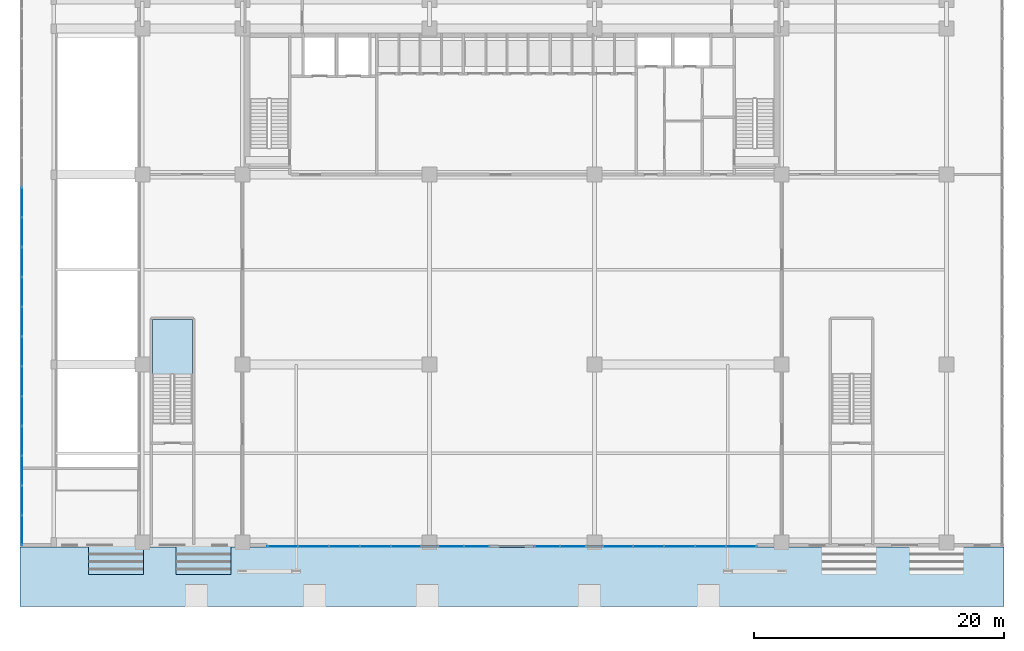
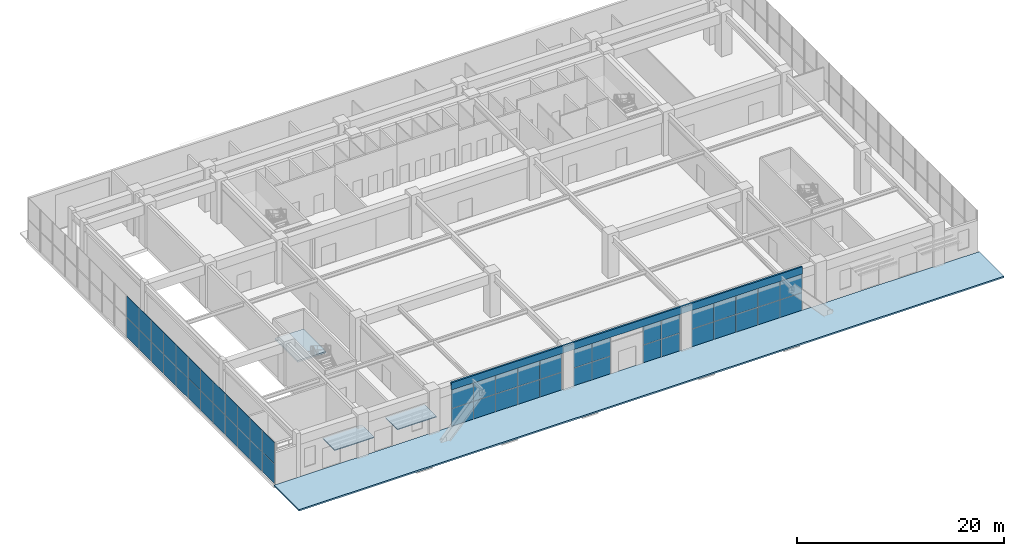
# One storey, part 29 of 40: 55 plates, 2 slabs, 6 elements without a shape of their own.
"""IFC4 building model written with IfcOpenShell, lengths in metres."""

from ifc_helpers import new_model, si_unit, direction, frame, origin, origin_2d, place, context, subcontext, project, spatial, polyline, rectangle, outline, extrude, source, transform, mapped, material, layer, layer_set, type_object, element, aggregate, save


model = new_model("IFC4")

# Units and contexts
model_context = context("Model", 3, precision=1e-05, world=origin(), true_north=direction((0.0, 1.0)))
body_context = subcontext(model_context, "Body", "Model", "MODEL_VIEW")
ifc_project = project(units=[si_unit("LENGTHUNIT", "METRE"), si_unit("AREAUNIT", "SQUARE_METRE"), si_unit("VOLUMEUNIT", "CUBIC_METRE"), si_unit("PLANEANGLEUNIT", "RADIAN"), si_unit("MASSUNIT", "GRAM", prefix="KILO")], contexts=[model_context])

# Site, building, storey
site_placement = place(None, origin())
site = spatial("IfcSite", under=ifc_project, at=site_placement, CompositionType="ELEMENT")
building_placement = place(site_placement, origin())
building = spatial("IfcBuilding", under=site, at=building_placement, Name="Trelvane Seafront Commons", CompositionType="ELEMENT")
storey_placement = place(building_placement, origin())
storey = spatial("IfcBuildingStorey", under=building, at=storey_placement, Name="L00", CompositionType="ELEMENT", Elevation=0.0)

# Stair, slab
ifc_material_1 = material(Name="Concrete C40/50", Category="concrete")
stair_type = type_object("IfcStairType", Name="ARCH-STR-ST-3-R30-173", PredefinedType="HALF_TURN_STAIR", material=ifc_material_1)
stair_placement = place(storey_placement, origin())
stair = element("IfcStair", 1, at=stair_placement, inside=storey, type_object=stair_type, Name="L00 Podium Commons West Promenade Stair ST-3", PredefinedType="HALF_TURN_STAIR")
ifc_layer_1 = layer(ifc_material_1, 0.199951171875, Name="ARCH-LND-200")
ifc_layer_set_1 = layer_set([ifc_layer_1], Name="Concrete C40/50")
slab_type_1 = type_object("IfcSlabType", Name="ARCH-LND-200", PredefinedType="LANDING", material=ifc_layer_set_1)
slab_1_placement = place(storey_placement, frame((0.0, 0.0, 2.39990234375)))
slab_1 = element("IfcSlab", 2, at=slab_1_placement, type_object=slab_type_1, Name="ST-3 landing 1", PredefinedType="LANDING", context=body_context, shape_type="SweptSolid", body=[
    extrude(outline(polyline([(11.60009765625, 17.419921875), (11.60009765625, 21.800048828125), (8.39990234375, 21.800048828125), (8.39990234375, 17.419921875), (11.60009765625, 17.419921875)])), origin(), (0.0, 0.0, 1.0), 0.2001953125),
])
aggregate(stair, [slab_1])

# Slab
ifc_material_2 = material(Name="Precast concrete C40/50", Category="concrete")
ifc_layer_2 = layer(ifc_material_2, 0.179931640625, Name="ARCH-PAV-180")
ifc_layer_set_2 = layer_set([ifc_layer_2], Name="Precast concrete C40/50")
slab_type_2 = type_object("IfcSlabType", Name="ARCH-PAV-180", PredefinedType="USERDEFINED", material=ifc_layer_set_2)
slab_2_placement = place(storey_placement, frame((0.0, 0.0, -0.179931640625)))
element("IfcSlab", 3, at=slab_2_placement, inside=storey, type_object=slab_type_2, Name="Ground Seafront Entrance Forecourt Plaza Paving", ObjectType="PAVING", PredefinedType="USERDEFINED", context=body_context, shape_type="SweptSolid", body=[
    extrude(outline(polyline([(-2.199951171875, -1.199951171875), (76.60009765625, -1.199951171875), (76.60009765625, 3.60009765625), (-2.199951171875, 3.60009765625), (-2.199951171875, -1.199951171875)])), origin(), (0.0, 0.0, 1.0), 0.179931640625),
])

# Plates
ifc_material_3 = material(Name="Anodised pale-silver aluminium", Category="aluminium")
ifc_layer_3 = layer(ifc_material_3, 0.044921875, Name="ARCH-PLATE-CANOPY")
ifc_layer_set_3 = layer_set([ifc_layer_3], Name="Anodised pale-silver aluminium")
plate_type_1 = type_object("IfcPlateType", Name="ARCH-PLATE-CANOPY", PredefinedType="USERDEFINED", material=ifc_layer_set_3)
plate_1_placement = place(storey_placement, frame((0.0, 0.0, 3.449951171875)))
element("IfcPlate", 4, at=plate_1_placement, inside=storey, type_object=plate_type_1, Name="CAN-L00-S-01", ObjectType="CANOPY", PredefinedType="USERDEFINED", context=body_context, shape_type="SweptSolid", body=[
    extrude(outline(polyline([(3.300048828125, 1.39990234375), (7.699951171875, 1.39990234375), (7.699951171875, 3.800048828125), (3.300048828125, 3.800048828125), (3.300048828125, 1.39990234375)])), origin(), (0.0, 0.0, 1.0), 0.10009765625),
])
plate_2_placement = place(storey_placement, frame((0.0, 0.0, 3.449951171875)))
element("IfcPlate", 5, at=plate_2_placement, inside=storey, type_object=plate_type_1, Name="CAN-L00-S-02", ObjectType="CANOPY", PredefinedType="USERDEFINED", context=body_context, shape_type="SweptSolid", body=[
    extrude(outline(polyline([(10.300048828125, 1.39990234375), (14.699951171875, 1.39990234375), (14.699951171875, 3.800048828125), (10.300048828125, 3.800048828125), (10.300048828125, 1.39990234375)])), origin(), (0.0, 0.0, 1.0), 0.10009765625),
])

# Curtain wall, plates
curtain_wall_type_1 = type_object("IfcCurtainWallType", Name="ARCH-CW1-PODIUM", PredefinedType="NOTDEFINED", material=ifc_material_3)
curtain_wall_1_placement = place(storey_placement, origin())
curtain_wall_1 = element("IfcCurtainWall", 6, at=curtain_wall_1_placement, inside=storey, type_object=curtain_wall_type_1, Name="CW-L00-VPE-0001", PredefinedType="NOTDEFINED")
ifc_material_4 = material(Name="Low-E coastal double glazing", Category="glass")
ifc_layer_4 = layer(ifc_material_4, 0.033935546875, Name="ARCH-CW-GLAZ-34")
ifc_layer_set_4 = layer_set([ifc_layer_4], Name="Low-E coastal double glazing")
plate_type_2 = type_object("IfcPlateType", Name="ARCH-CW-GLAZ-34", PredefinedType="CURTAIN_PANEL", material=ifc_layer_set_4)
shared_shape_1 = source(origin(), body_context, "Body", "SweptSolid", [
    extrude(rectangle(XDim=2.446044921875, YDim=0.035888671875, at=origin_2d()), origin(), (0.0, 0.0, 1.0), 2.074951171875),
])
plate_3_placement = place(storey_placement, frame((55.56494140625, 3.6201171875, 0.0), z_axis=(0.0, 0.0, 1.0), x_axis=(-1.0, 0.0, 0.0)))
plate_3 = element("IfcPlate", 7, at=plate_3_placement, type_object=plate_type_2, Name="CW-L00-VPE-0001-P00-1", PredefinedType="CURTAIN_PANEL", context=body_context, shape_type="MappedRepresentation", body=[
    mapped(shared_shape_1, transform((0.0, 0.0, 0.0), x_axis=(1.0, 0.0, 0.0), y_axis=(0.0, 1.0, 0.0), z_axis=(0.0, 0.0, 1.0), scale=1.0)),
])
plate_4_placement = place(storey_placement, frame((53.094970703125, 3.6201171875, 0.0), z_axis=(0.0, 0.0, 1.0), x_axis=(-1.0, 0.0, 0.0)))
plate_4 = element("IfcPlate", 8, at=plate_4_placement, type_object=plate_type_2, Name="CW-L00-VPE-0001-P01-1", PredefinedType="CURTAIN_PANEL", context=body_context, shape_type="MappedRepresentation", body=[
    mapped(shared_shape_1, transform((0.0, 0.0, 0.0), x_axis=(1.0, 0.0, 0.0), y_axis=(0.0, 1.0, 0.0), z_axis=(0.0, 0.0, 1.0), scale=1.0)),
])
plate_5_placement = place(storey_placement, frame((50.625, 3.6201171875, 0.0), z_axis=(0.0, 0.0, 1.0), x_axis=(-1.0, 0.0, 0.0)))
plate_5 = element("IfcPlate", 9, at=plate_5_placement, type_object=plate_type_2, Name="CW-L00-VPE-0001-P02-1", PredefinedType="CURTAIN_PANEL", context=body_context, shape_type="MappedRepresentation", body=[
    mapped(shared_shape_1, transform((0.0, 0.0, 0.0), x_axis=(1.0, 0.0, 0.0), y_axis=(0.0, 1.0, 0.0), z_axis=(0.0, 0.0, 1.0), scale=1.0)),
])
plate_6_placement = place(storey_placement, frame((48.155029296875, 3.6201171875, 0.0), z_axis=(0.0, 0.0, 1.0), x_axis=(-1.0, 0.0, 0.0)))
plate_6 = element("IfcPlate", 10, at=plate_6_placement, type_object=plate_type_2, Name="CW-L00-VPE-0001-P03-1", PredefinedType="CURTAIN_PANEL", context=body_context, shape_type="MappedRepresentation", body=[
    mapped(shared_shape_1, transform((0.0, 0.0, 0.0), x_axis=(1.0, 0.0, 0.0), y_axis=(0.0, 1.0, 0.0), z_axis=(0.0, 0.0, 1.0), scale=1.0)),
])
plate_7_placement = place(storey_placement, frame((45.68505859375, 3.6201171875, 0.0), z_axis=(0.0, 0.0, 1.0), x_axis=(-1.0, 0.0, 0.0)))
plate_7 = element("IfcPlate", 11, at=plate_7_placement, type_object=plate_type_2, Name="CW-L00-VPE-0001-P04-1", PredefinedType="CURTAIN_PANEL", context=body_context, shape_type="MappedRepresentation", body=[
    mapped(shared_shape_1, transform((0.0, 0.0, 0.0), x_axis=(1.0, 0.0, 0.0), y_axis=(0.0, 1.0, 0.0), z_axis=(0.0, 0.0, 1.0), scale=1.0)),
])

curtain_wall_2_placement = place(storey_placement, origin())
curtain_wall_2 = element("IfcCurtainWall", 12, at=curtain_wall_2_placement, inside=storey, type_object=curtain_wall_type_1, Name="CW-L00-VPW-0004", PredefinedType="NOTDEFINED")
plate_8_placement = place(storey_placement, frame((28.715087890625, 3.6201171875, 0.0), z_axis=(0.0, 0.0, 1.0), x_axis=(-1.0, 0.0, 0.0)))
plate_8 = element("IfcPlate", 13, at=plate_8_placement, type_object=plate_type_2, Name="CW-L00-VPW-0004-P00-1", PredefinedType="CURTAIN_PANEL", context=body_context, shape_type="MappedRepresentation", body=[
    mapped(shared_shape_1, transform((0.0, 0.0, 0.0), x_axis=(1.0, 0.0, 0.0), y_axis=(0.0, 1.0, 0.0), z_axis=(0.0, 0.0, 1.0), scale=1.0)),
])
plate_9_placement = place(storey_placement, frame((26.2451171875, 3.6201171875, 0.0), z_axis=(0.0, 0.0, 1.0), x_axis=(-1.0, 0.0, 0.0)))
plate_9 = element("IfcPlate", 14, at=plate_9_placement, type_object=plate_type_2, Name="CW-L00-VPW-0004-P01-1", PredefinedType="CURTAIN_PANEL", context=body_context, shape_type="MappedRepresentation", body=[
    mapped(shared_shape_1, transform((0.0, 0.0, 0.0), x_axis=(1.0, 0.0, 0.0), y_axis=(0.0, 1.0, 0.0), z_axis=(0.0, 0.0, 1.0), scale=1.0)),
])
plate_10_placement = place(storey_placement, frame((23.77490234375, 3.6201171875, 0.0), z_axis=(0.0, 0.0, 1.0), x_axis=(-1.0, 0.0, 0.0)))
plate_10 = element("IfcPlate", 15, at=plate_10_placement, type_object=plate_type_2, Name="CW-L00-VPW-0004-P02-1", PredefinedType="CURTAIN_PANEL", context=body_context, shape_type="MappedRepresentation", body=[
    mapped(shared_shape_1, transform((0.0, 0.0, 0.0), x_axis=(1.0, 0.0, 0.0), y_axis=(0.0, 1.0, 0.0), z_axis=(0.0, 0.0, 1.0), scale=1.0)),
])
plate_11_placement = place(storey_placement, frame((21.304931640625, 3.6201171875, 0.0), z_axis=(0.0, 0.0, 1.0), x_axis=(-1.0, 0.0, 0.0)))
plate_11 = element("IfcPlate", 16, at=plate_11_placement, type_object=plate_type_2, Name="CW-L00-VPW-0004-P03-1", PredefinedType="CURTAIN_PANEL", context=body_context, shape_type="MappedRepresentation", body=[
    mapped(shared_shape_1, transform((0.0, 0.0, 0.0), x_axis=(1.0, 0.0, 0.0), y_axis=(0.0, 1.0, 0.0), z_axis=(0.0, 0.0, 1.0), scale=1.0)),
])
plate_12_placement = place(storey_placement, frame((18.8349609375, 3.6201171875, 0.0), z_axis=(0.0, 0.0, 1.0), x_axis=(-1.0, 0.0, 0.0)))
plate_12 = element("IfcPlate", 17, at=plate_12_placement, type_object=plate_type_2, Name="CW-L00-VPW-0004-P04-1", PredefinedType="CURTAIN_PANEL", context=body_context, shape_type="MappedRepresentation", body=[
    mapped(shared_shape_1, transform((0.0, 0.0, 0.0), x_axis=(1.0, 0.0, 0.0), y_axis=(0.0, 1.0, 0.0), z_axis=(0.0, 0.0, 1.0), scale=1.0)),
])

# Plate
shared_shape_2 = source(origin(), body_context, "Body", "SweptSolid", [
    extrude(rectangle(XDim=2.446044921875, YDim=0.035888671875, at=origin_2d()), origin(), (0.0, 0.0, 1.0), 2.2490234375),
])
plate_13_placement = place(storey_placement, frame((55.56494140625, 3.6201171875, 2.111083984375), z_axis=(0.0, 0.0, 1.0), x_axis=(-1.0, 0.0, 0.0)))
plate_13 = element("IfcPlate", 18, at=plate_13_placement, type_object=plate_type_2, Name="CW-L00-VPE-0001-P00-2", PredefinedType="CURTAIN_PANEL", context=body_context, shape_type="MappedRepresentation", body=[
    mapped(shared_shape_2, transform((0.0, 0.0, 0.0), x_axis=(1.0, 0.0, 0.0), y_axis=(0.0, 1.0, 0.0), z_axis=(0.0, 0.0, 1.0), scale=1.0)),
])

plate_14_placement = place(storey_placement, frame((53.094970703125, 3.6201171875, 2.111083984375), z_axis=(0.0, 0.0, 1.0), x_axis=(-1.0, 0.0, 0.0)))
plate_14 = element("IfcPlate", 19, at=plate_14_placement, type_object=plate_type_2, Name="CW-L00-VPE-0001-P01-2", PredefinedType="CURTAIN_PANEL", context=body_context, shape_type="MappedRepresentation", body=[
    mapped(shared_shape_2, transform((0.0, 0.0, 0.0), x_axis=(1.0, 0.0, 0.0), y_axis=(0.0, 1.0, 0.0), z_axis=(0.0, 0.0, 1.0), scale=1.0)),
])

plate_15_placement = place(storey_placement, frame((50.625, 3.6201171875, 2.111083984375), z_axis=(0.0, 0.0, 1.0), x_axis=(-1.0, 0.0, 0.0)))
plate_15 = element("IfcPlate", 20, at=plate_15_placement, type_object=plate_type_2, Name="CW-L00-VPE-0001-P02-2", PredefinedType="CURTAIN_PANEL", context=body_context, shape_type="MappedRepresentation", body=[
    mapped(shared_shape_2, transform((0.0, 0.0, 0.0), x_axis=(1.0, 0.0, 0.0), y_axis=(0.0, 1.0, 0.0), z_axis=(0.0, 0.0, 1.0), scale=1.0)),
])

plate_16_placement = place(storey_placement, frame((48.155029296875, 3.6201171875, 2.111083984375), z_axis=(0.0, 0.0, 1.0), x_axis=(-1.0, 0.0, 0.0)))
plate_16 = element("IfcPlate", 21, at=plate_16_placement, type_object=plate_type_2, Name="CW-L00-VPE-0001-P03-2", PredefinedType="CURTAIN_PANEL", context=body_context, shape_type="MappedRepresentation", body=[
    mapped(shared_shape_2, transform((0.0, 0.0, 0.0), x_axis=(1.0, 0.0, 0.0), y_axis=(0.0, 1.0, 0.0), z_axis=(0.0, 0.0, 1.0), scale=1.0)),
])

plate_17_placement = place(storey_placement, frame((45.68505859375, 3.6201171875, 2.111083984375), z_axis=(0.0, 0.0, 1.0), x_axis=(-1.0, 0.0, 0.0)))
plate_17 = element("IfcPlate", 22, at=plate_17_placement, type_object=plate_type_2, Name="CW-L00-VPE-0001-P04-2", PredefinedType="CURTAIN_PANEL", context=body_context, shape_type="MappedRepresentation", body=[
    mapped(shared_shape_2, transform((0.0, 0.0, 0.0), x_axis=(1.0, 0.0, 0.0), y_axis=(0.0, 1.0, 0.0), z_axis=(0.0, 0.0, 1.0), scale=1.0)),
])

aggregate(curtain_wall_1, [plate_3, plate_13, plate_4, plate_14, plate_5, plate_15, plate_6, plate_16, plate_7, plate_17])

plate_18_placement = place(storey_placement, frame((28.715087890625, 3.6201171875, 2.111083984375), z_axis=(0.0, 0.0, 1.0), x_axis=(-1.0, 0.0, 0.0)))
plate_18 = element("IfcPlate", 23, at=plate_18_placement, type_object=plate_type_2, Name="CW-L00-VPW-0004-P00-2", PredefinedType="CURTAIN_PANEL", context=body_context, shape_type="MappedRepresentation", body=[
    mapped(shared_shape_2, transform((0.0, 0.0, 0.0), x_axis=(1.0, 0.0, 0.0), y_axis=(0.0, 1.0, 0.0), z_axis=(0.0, 0.0, 1.0), scale=1.0)),
])

plate_19_placement = place(storey_placement, frame((26.2451171875, 3.6201171875, 2.111083984375), z_axis=(0.0, 0.0, 1.0), x_axis=(-1.0, 0.0, 0.0)))
plate_19 = element("IfcPlate", 24, at=plate_19_placement, type_object=plate_type_2, Name="CW-L00-VPW-0004-P01-2", PredefinedType="CURTAIN_PANEL", context=body_context, shape_type="MappedRepresentation", body=[
    mapped(shared_shape_2, transform((0.0, 0.0, 0.0), x_axis=(1.0, 0.0, 0.0), y_axis=(0.0, 1.0, 0.0), z_axis=(0.0, 0.0, 1.0), scale=1.0)),
])

plate_20_placement = place(storey_placement, frame((23.77490234375, 3.6201171875, 2.111083984375), z_axis=(0.0, 0.0, 1.0), x_axis=(-1.0, 0.0, 0.0)))
plate_20 = element("IfcPlate", 25, at=plate_20_placement, type_object=plate_type_2, Name="CW-L00-VPW-0004-P02-2", PredefinedType="CURTAIN_PANEL", context=body_context, shape_type="MappedRepresentation", body=[
    mapped(shared_shape_2, transform((0.0, 0.0, 0.0), x_axis=(1.0, 0.0, 0.0), y_axis=(0.0, 1.0, 0.0), z_axis=(0.0, 0.0, 1.0), scale=1.0)),
])

plate_21_placement = place(storey_placement, frame((21.304931640625, 3.6201171875, 2.111083984375), z_axis=(0.0, 0.0, 1.0), x_axis=(-1.0, 0.0, 0.0)))
plate_21 = element("IfcPlate", 26, at=plate_21_placement, type_object=plate_type_2, Name="CW-L00-VPW-0004-P03-2", PredefinedType="CURTAIN_PANEL", context=body_context, shape_type="MappedRepresentation", body=[
    mapped(shared_shape_2, transform((0.0, 0.0, 0.0), x_axis=(1.0, 0.0, 0.0), y_axis=(0.0, 1.0, 0.0), z_axis=(0.0, 0.0, 1.0), scale=1.0)),
])

plate_22_placement = place(storey_placement, frame((18.8349609375, 3.6201171875, 2.111083984375), z_axis=(0.0, 0.0, 1.0), x_axis=(-1.0, 0.0, 0.0)))
plate_22 = element("IfcPlate", 27, at=plate_22_placement, type_object=plate_type_2, Name="CW-L00-VPW-0004-P04-2", PredefinedType="CURTAIN_PANEL", context=body_context, shape_type="MappedRepresentation", body=[
    mapped(shared_shape_2, transform((0.0, 0.0, 0.0), x_axis=(1.0, 0.0, 0.0), y_axis=(0.0, 1.0, 0.0), z_axis=(0.0, 0.0, 1.0), scale=1.0)),
])

aggregate(curtain_wall_2, [plate_8, plate_18, plate_9, plate_19, plate_10, plate_20, plate_11, plate_21, plate_12, plate_22])

# Curtain wall, plates
curtain_wall_3_placement = place(storey_placement, origin())
curtain_wall_3 = element("IfcCurtainWall", 28, at=curtain_wall_3_placement, inside=storey, type_object=curtain_wall_type_1, Name="CW-L00-VPE-0002", PredefinedType="NOTDEFINED")
shared_shape_3 = source(origin(), body_context, "Body", "SweptSolid", [
    extrude(rectangle(XDim=2.051025390625, YDim=0.035888671875, at=origin_2d()), origin(), (0.0, 0.0, 1.0), 2.074951171875),
])
plate_23_placement = place(storey_placement, frame((42.112548828125, 3.6201171875, 0.0), z_axis=(0.0, 0.0, 1.0), x_axis=(-1.0, 0.0, 0.0)))
plate_23 = element("IfcPlate", 29, at=plate_23_placement, type_object=plate_type_2, Name="CW-L00-VPE-0002-P00-1", PredefinedType="CURTAIN_PANEL", context=body_context, shape_type="MappedRepresentation", body=[
    mapped(shared_shape_3, transform((0.0, 0.0, 0.0), x_axis=(1.0, 0.0, 0.0), y_axis=(0.0, 1.0, 0.0), z_axis=(0.0, 0.0, 1.0), scale=1.0)),
])
plate_24_placement = place(storey_placement, frame((40.03759765625, 3.6201171875, 0.0), z_axis=(0.0, 0.0, 1.0), x_axis=(-1.0, 0.0, 0.0)))
plate_24 = element("IfcPlate", 30, at=plate_24_placement, type_object=plate_type_2, Name="CW-L00-VPE-0002-P01-1", PredefinedType="CURTAIN_PANEL", context=body_context, shape_type="MappedRepresentation", body=[
    mapped(shared_shape_3, transform((0.0, 0.0, 0.0), x_axis=(1.0, 0.0, 0.0), y_axis=(0.0, 1.0, 0.0), z_axis=(0.0, 0.0, 1.0), scale=1.0)),
])

curtain_wall_4_placement = place(storey_placement, origin())
curtain_wall_4 = element("IfcCurtainWall", 31, at=curtain_wall_4_placement, inside=storey, type_object=curtain_wall_type_1, Name="CW-L00-VPW-0003", PredefinedType="NOTDEFINED")
plate_25_placement = place(storey_placement, frame((34.362548828125, 3.6201171875, 0.0), z_axis=(0.0, 0.0, 1.0), x_axis=(-1.0, 0.0, 0.0)))
plate_25 = element("IfcPlate", 32, at=plate_25_placement, type_object=plate_type_2, Name="CW-L00-VPW-0003-P00-1", PredefinedType="CURTAIN_PANEL", context=body_context, shape_type="MappedRepresentation", body=[
    mapped(shared_shape_3, transform((0.0, 0.0, 0.0), x_axis=(1.0, 0.0, 0.0), y_axis=(0.0, 1.0, 0.0), z_axis=(0.0, 0.0, 1.0), scale=1.0)),
])
plate_26_placement = place(storey_placement, frame((32.28759765625, 3.6201171875, 0.0), z_axis=(0.0, 0.0, 1.0), x_axis=(-1.0, 0.0, 0.0)))
plate_26 = element("IfcPlate", 33, at=plate_26_placement, type_object=plate_type_2, Name="CW-L00-VPW-0003-P01-1", PredefinedType="CURTAIN_PANEL", context=body_context, shape_type="MappedRepresentation", body=[
    mapped(shared_shape_3, transform((0.0, 0.0, 0.0), x_axis=(1.0, 0.0, 0.0), y_axis=(0.0, 1.0, 0.0), z_axis=(0.0, 0.0, 1.0), scale=1.0)),
])

# Plate
shared_shape_4 = source(origin(), body_context, "Body", "SweptSolid", [
    extrude(rectangle(XDim=2.051025390625, YDim=0.035888671875, at=origin_2d()), origin(), (0.0, 0.0, 1.0), 2.2490234375),
])
plate_27_placement = place(storey_placement, frame((42.112548828125, 3.6201171875, 2.111083984375), z_axis=(0.0, 0.0, 1.0), x_axis=(-1.0, 0.0, 0.0)))
plate_27 = element("IfcPlate", 34, at=plate_27_placement, type_object=plate_type_2, Name="CW-L00-VPE-0002-P00-2", PredefinedType="CURTAIN_PANEL", context=body_context, shape_type="MappedRepresentation", body=[
    mapped(shared_shape_4, transform((0.0, 0.0, 0.0), x_axis=(1.0, 0.0, 0.0), y_axis=(0.0, 1.0, 0.0), z_axis=(0.0, 0.0, 1.0), scale=1.0)),
])

plate_28_placement = place(storey_placement, frame((40.03759765625, 3.6201171875, 2.111083984375), z_axis=(0.0, 0.0, 1.0), x_axis=(-1.0, 0.0, 0.0)))
plate_28 = element("IfcPlate", 35, at=plate_28_placement, type_object=plate_type_2, Name="CW-L00-VPE-0002-P01-2", PredefinedType="CURTAIN_PANEL", context=body_context, shape_type="MappedRepresentation", body=[
    mapped(shared_shape_4, transform((0.0, 0.0, 0.0), x_axis=(1.0, 0.0, 0.0), y_axis=(0.0, 1.0, 0.0), z_axis=(0.0, 0.0, 1.0), scale=1.0)),
])

aggregate(curtain_wall_3, [plate_23, plate_27, plate_24, plate_28])

plate_29_placement = place(storey_placement, frame((34.362548828125, 3.6201171875, 2.111083984375), z_axis=(0.0, 0.0, 1.0), x_axis=(-1.0, 0.0, 0.0)))
plate_29 = element("IfcPlate", 36, at=plate_29_placement, type_object=plate_type_2, Name="CW-L00-VPW-0003-P00-2", PredefinedType="CURTAIN_PANEL", context=body_context, shape_type="MappedRepresentation", body=[
    mapped(shared_shape_4, transform((0.0, 0.0, 0.0), x_axis=(1.0, 0.0, 0.0), y_axis=(0.0, 1.0, 0.0), z_axis=(0.0, 0.0, 1.0), scale=1.0)),
])

plate_30_placement = place(storey_placement, frame((32.28759765625, 3.6201171875, 2.111083984375), z_axis=(0.0, 0.0, 1.0), x_axis=(-1.0, 0.0, 0.0)))
plate_30 = element("IfcPlate", 37, at=plate_30_placement, type_object=plate_type_2, Name="CW-L00-VPW-0003-P01-2", PredefinedType="CURTAIN_PANEL", context=body_context, shape_type="MappedRepresentation", body=[
    mapped(shared_shape_4, transform((0.0, 0.0, 0.0), x_axis=(1.0, 0.0, 0.0), y_axis=(0.0, 1.0, 0.0), z_axis=(0.0, 0.0, 1.0), scale=1.0)),
])

aggregate(curtain_wall_4, [plate_25, plate_29, plate_26, plate_30])

ifc_layer_5 = layer(ifc_material_3, 0.179931640625, Name="ARCH-PLATE-AERO")
ifc_layer_set_5 = layer_set([ifc_layer_5], Name="Anodised pale-silver aluminium")
plate_type_3 = type_object("IfcPlateType", Name="ARCH-PLATE-AERO", PredefinedType="SHEET", material=ifc_layer_set_5)
shared_shape_5 = source(origin(), body_context, "Body", "SweptSolid", [
    extrude(rectangle(XDim=39.199951171875, YDim=0.179931640625, at=origin_2d()), origin(), (0.0, 0.0, 1.0), 0.860107421875),
])
plate_31_placement = place(storey_placement, frame((37.199951171875, 3.6201171875, 4.33984375), z_axis=(0.0, 0.0, 1.0), x_axis=(-1.0, 0.0, 0.0)))
element("IfcPlate", 38, at=plate_31_placement, inside=storey, type_object=plate_type_3, Name="AER-L00-VP-00001", PredefinedType="SHEET", context=body_context, shape_type="MappedRepresentation", body=[
    mapped(shared_shape_5, transform((0.0, 0.0, 0.0), x_axis=(1.0, 0.0, 0.0), y_axis=(0.0, 1.0, 0.0), z_axis=(0.0, 0.0, 1.0), scale=1.0)),
])

# Curtain wall, plates
curtain_wall_type_2 = type_object("IfcCurtainWallType", Name="ARCH-CW4-SKYLOBBY", PredefinedType="NOTDEFINED", material=ifc_material_3)
curtain_wall_5_placement = place(storey_placement, origin())
curtain_wall_5 = element("IfcCurtainWall", 39, at=curtain_wall_5_placement, inside=storey, type_object=curtain_wall_type_2, Name="CW-L00-0006", PredefinedType="NOTDEFINED")
shared_shape_6 = source(origin(), body_context, "Body", "SweptSolid", [
    extrude(rectangle(XDim=2.363037109375, YDim=0.0400390625, at=origin_2d()), origin(), (0.0, 0.0, 1.0), 2.323974609375),
])
plate_32_placement = place(storey_placement, frame((-2.050048828125, 4.923583984375, 0.0), z_axis=(0.0, 0.0, 1.0), x_axis=(0.0, 1.0, 0.0)))
plate_32 = element("IfcPlate", 40, at=plate_32_placement, type_object=plate_type_2, Name="CW-L00-0006-P00-1", PredefinedType="CURTAIN_PANEL", context=body_context, shape_type="MappedRepresentation", body=[
    mapped(shared_shape_6, transform((0.0, 0.0, 0.0), x_axis=(1.0, 0.0, 0.0), y_axis=(0.0, 1.0, 0.0), z_axis=(0.0, 0.0, 1.0), scale=1.0)),
])
plate_33_placement = place(storey_placement, frame((-2.050048828125, 7.310546875, 0.0), z_axis=(0.0, 0.0, 1.0), x_axis=(0.0, 1.0, 0.0)))
plate_33 = element("IfcPlate", 41, at=plate_33_placement, type_object=plate_type_2, Name="CW-L00-0006-P01-1", PredefinedType="CURTAIN_PANEL", context=body_context, shape_type="MappedRepresentation", body=[
    mapped(shared_shape_6, transform((0.0, 0.0, 0.0), x_axis=(1.0, 0.0, 0.0), y_axis=(0.0, 1.0, 0.0), z_axis=(0.0, 0.0, 1.0), scale=1.0)),
])
plate_34_placement = place(storey_placement, frame((-2.050048828125, 9.697509765625, 0.0), z_axis=(0.0, 0.0, 1.0), x_axis=(0.0, 1.0, 0.0)))
plate_34 = element("IfcPlate", 42, at=plate_34_placement, type_object=plate_type_2, Name="CW-L00-0006-P02-1", PredefinedType="CURTAIN_PANEL", context=body_context, shape_type="MappedRepresentation", body=[
    mapped(shared_shape_6, transform((0.0, 0.0, 0.0), x_axis=(1.0, 0.0, 0.0), y_axis=(0.0, 1.0, 0.0), z_axis=(0.0, 0.0, 1.0), scale=1.0)),
])
plate_35_placement = place(storey_placement, frame((-2.050048828125, 12.08447265625, 0.0), z_axis=(0.0, 0.0, 1.0), x_axis=(0.0, 1.0, 0.0)))
plate_35 = element("IfcPlate", 43, at=plate_35_placement, type_object=plate_type_2, Name="CW-L00-0006-P03-1", PredefinedType="CURTAIN_PANEL", context=body_context, shape_type="MappedRepresentation", body=[
    mapped(shared_shape_6, transform((0.0, 0.0, 0.0), x_axis=(1.0, 0.0, 0.0), y_axis=(0.0, 1.0, 0.0), z_axis=(0.0, 0.0, 1.0), scale=1.0)),
])
plate_36_placement = place(storey_placement, frame((-2.050048828125, 14.471435546875, 0.0), z_axis=(0.0, 0.0, 1.0), x_axis=(0.0, 1.0, 0.0)))
plate_36 = element("IfcPlate", 44, at=plate_36_placement, type_object=plate_type_2, Name="CW-L00-0006-P04-1", PredefinedType="CURTAIN_PANEL", context=body_context, shape_type="MappedRepresentation", body=[
    mapped(shared_shape_6, transform((0.0, 0.0, 0.0), x_axis=(1.0, 0.0, 0.0), y_axis=(0.0, 1.0, 0.0), z_axis=(0.0, 0.0, 1.0), scale=1.0)),
])
plate_37_placement = place(storey_placement, frame((-2.050048828125, 16.8583984375, 0.0), z_axis=(0.0, 0.0, 1.0), x_axis=(0.0, 1.0, 0.0)))
plate_37 = element("IfcPlate", 45, at=plate_37_placement, type_object=plate_type_2, Name="CW-L00-0006-P05-1", PredefinedType="CURTAIN_PANEL", context=body_context, shape_type="MappedRepresentation", body=[
    mapped(shared_shape_6, transform((0.0, 0.0, 0.0), x_axis=(1.0, 0.0, 0.0), y_axis=(0.0, 1.0, 0.0), z_axis=(0.0, 0.0, 1.0), scale=1.0)),
])
plate_38_placement = place(storey_placement, frame((-2.050048828125, 19.24560546875, 0.0), z_axis=(0.0, 0.0, 1.0), x_axis=(0.0, 1.0, 0.0)))
plate_38 = element("IfcPlate", 46, at=plate_38_placement, type_object=plate_type_2, Name="CW-L00-0006-P06-1", PredefinedType="CURTAIN_PANEL", context=body_context, shape_type="MappedRepresentation", body=[
    mapped(shared_shape_6, transform((0.0, 0.0, 0.0), x_axis=(1.0, 0.0, 0.0), y_axis=(0.0, 1.0, 0.0), z_axis=(0.0, 0.0, 1.0), scale=1.0)),
])
plate_39_placement = place(storey_placement, frame((-2.050048828125, 21.632568359375, 0.0), z_axis=(0.0, 0.0, 1.0), x_axis=(0.0, 1.0, 0.0)))
plate_39 = element("IfcPlate", 47, at=plate_39_placement, type_object=plate_type_2, Name="CW-L00-0006-P07-1", PredefinedType="CURTAIN_PANEL", context=body_context, shape_type="MappedRepresentation", body=[
    mapped(shared_shape_6, transform((0.0, 0.0, 0.0), x_axis=(1.0, 0.0, 0.0), y_axis=(0.0, 1.0, 0.0), z_axis=(0.0, 0.0, 1.0), scale=1.0)),
])
plate_40_placement = place(storey_placement, frame((-2.050048828125, 24.01953125, 0.0), z_axis=(0.0, 0.0, 1.0), x_axis=(0.0, 1.0, 0.0)))
plate_40 = element("IfcPlate", 48, at=plate_40_placement, type_object=plate_type_2, Name="CW-L00-0006-P08-1", PredefinedType="CURTAIN_PANEL", context=body_context, shape_type="MappedRepresentation", body=[
    mapped(shared_shape_6, transform((0.0, 0.0, 0.0), x_axis=(1.0, 0.0, 0.0), y_axis=(0.0, 1.0, 0.0), z_axis=(0.0, 0.0, 1.0), scale=1.0)),
])
plate_41_placement = place(storey_placement, frame((-2.050048828125, 26.406494140625, 0.0), z_axis=(0.0, 0.0, 1.0), x_axis=(0.0, 1.0, 0.0)))
plate_41 = element("IfcPlate", 49, at=plate_41_placement, type_object=plate_type_2, Name="CW-L00-0006-P09-1", PredefinedType="CURTAIN_PANEL", context=body_context, shape_type="MappedRepresentation", body=[
    mapped(shared_shape_6, transform((0.0, 0.0, 0.0), x_axis=(1.0, 0.0, 0.0), y_axis=(0.0, 1.0, 0.0), z_axis=(0.0, 0.0, 1.0), scale=1.0)),
])
plate_42_placement = place(storey_placement, frame((-2.050048828125, 28.79345703125, 0.0), z_axis=(0.0, 0.0, 1.0), x_axis=(0.0, 1.0, 0.0)))
plate_42 = element("IfcPlate", 50, at=plate_42_placement, type_object=plate_type_2, Name="CW-L00-0006-P10-1", PredefinedType="CURTAIN_PANEL", context=body_context, shape_type="MappedRepresentation", body=[
    mapped(shared_shape_6, transform((0.0, 0.0, 0.0), x_axis=(1.0, 0.0, 0.0), y_axis=(0.0, 1.0, 0.0), z_axis=(0.0, 0.0, 1.0), scale=1.0)),
])
plate_43_placement = place(storey_placement, frame((-2.050048828125, 31.180419921875, 0.0), z_axis=(0.0, 0.0, 1.0), x_axis=(0.0, 1.0, 0.0)))
plate_43 = element("IfcPlate", 51, at=plate_43_placement, type_object=plate_type_2, Name="CW-L00-0006-P11-1", PredefinedType="CURTAIN_PANEL", context=body_context, shape_type="MappedRepresentation", body=[
    mapped(shared_shape_6, transform((0.0, 0.0, 0.0), x_axis=(1.0, 0.0, 0.0), y_axis=(0.0, 1.0, 0.0), z_axis=(0.0, 0.0, 1.0), scale=1.0)),
])
shared_shape_7 = source(origin(), body_context, "Body", "SweptSolid", [
    extrude(rectangle(XDim=2.363037109375, YDim=0.0400390625, at=origin_2d()), origin(), (0.0, 0.0, 1.0), 2.52001953125),
])
plate_44_placement = place(storey_placement, frame((-2.050048828125, 4.923583984375, 2.360107421875), z_axis=(0.0, 0.0, 1.0), x_axis=(0.0, 1.0, 0.0)))
plate_44 = element("IfcPlate", 52, at=plate_44_placement, type_object=plate_type_2, Name="CW-L00-0006-P00-2", PredefinedType="CURTAIN_PANEL", context=body_context, shape_type="MappedRepresentation", body=[
    mapped(shared_shape_7, transform((0.0, 0.0, 0.0), x_axis=(1.0, 0.0, 0.0), y_axis=(0.0, 1.0, 0.0), z_axis=(0.0, 0.0, 1.0), scale=1.0)),
])
plate_45_placement = place(storey_placement, frame((-2.050048828125, 7.310546875, 2.360107421875), z_axis=(0.0, 0.0, 1.0), x_axis=(0.0, 1.0, 0.0)))
plate_45 = element("IfcPlate", 53, at=plate_45_placement, type_object=plate_type_2, Name="CW-L00-0006-P01-2", PredefinedType="CURTAIN_PANEL", context=body_context, shape_type="MappedRepresentation", body=[
    mapped(shared_shape_7, transform((0.0, 0.0, 0.0), x_axis=(1.0, 0.0, 0.0), y_axis=(0.0, 1.0, 0.0), z_axis=(0.0, 0.0, 1.0), scale=1.0)),
])
plate_46_placement = place(storey_placement, frame((-2.050048828125, 9.697509765625, 2.360107421875), z_axis=(0.0, 0.0, 1.0), x_axis=(0.0, 1.0, 0.0)))
plate_46 = element("IfcPlate", 54, at=plate_46_placement, type_object=plate_type_2, Name="CW-L00-0006-P02-2", PredefinedType="CURTAIN_PANEL", context=body_context, shape_type="MappedRepresentation", body=[
    mapped(shared_shape_7, transform((0.0, 0.0, 0.0), x_axis=(1.0, 0.0, 0.0), y_axis=(0.0, 1.0, 0.0), z_axis=(0.0, 0.0, 1.0), scale=1.0)),
])
plate_47_placement = place(storey_placement, frame((-2.050048828125, 12.08447265625, 2.360107421875), z_axis=(0.0, 0.0, 1.0), x_axis=(0.0, 1.0, 0.0)))
plate_47 = element("IfcPlate", 55, at=plate_47_placement, type_object=plate_type_2, Name="CW-L00-0006-P03-2", PredefinedType="CURTAIN_PANEL", context=body_context, shape_type="MappedRepresentation", body=[
    mapped(shared_shape_7, transform((0.0, 0.0, 0.0), x_axis=(1.0, 0.0, 0.0), y_axis=(0.0, 1.0, 0.0), z_axis=(0.0, 0.0, 1.0), scale=1.0)),
])
plate_48_placement = place(storey_placement, frame((-2.050048828125, 14.471435546875, 2.360107421875), z_axis=(0.0, 0.0, 1.0), x_axis=(0.0, 1.0, 0.0)))
plate_48 = element("IfcPlate", 56, at=plate_48_placement, type_object=plate_type_2, Name="CW-L00-0006-P04-2", PredefinedType="CURTAIN_PANEL", context=body_context, shape_type="MappedRepresentation", body=[
    mapped(shared_shape_7, transform((0.0, 0.0, 0.0), x_axis=(1.0, 0.0, 0.0), y_axis=(0.0, 1.0, 0.0), z_axis=(0.0, 0.0, 1.0), scale=1.0)),
])
plate_49_placement = place(storey_placement, frame((-2.050048828125, 16.8583984375, 2.360107421875), z_axis=(0.0, 0.0, 1.0), x_axis=(0.0, 1.0, 0.0)))
plate_49 = element("IfcPlate", 57, at=plate_49_placement, type_object=plate_type_2, Name="CW-L00-0006-P05-2", PredefinedType="CURTAIN_PANEL", context=body_context, shape_type="MappedRepresentation", body=[
    mapped(shared_shape_7, transform((0.0, 0.0, 0.0), x_axis=(1.0, 0.0, 0.0), y_axis=(0.0, 1.0, 0.0), z_axis=(0.0, 0.0, 1.0), scale=1.0)),
])
plate_50_placement = place(storey_placement, frame((-2.050048828125, 19.24560546875, 2.360107421875), z_axis=(0.0, 0.0, 1.0), x_axis=(0.0, 1.0, 0.0)))
plate_50 = element("IfcPlate", 58, at=plate_50_placement, type_object=plate_type_2, Name="CW-L00-0006-P06-2", PredefinedType="CURTAIN_PANEL", context=body_context, shape_type="MappedRepresentation", body=[
    mapped(shared_shape_7, transform((0.0, 0.0, 0.0), x_axis=(1.0, 0.0, 0.0), y_axis=(0.0, 1.0, 0.0), z_axis=(0.0, 0.0, 1.0), scale=1.0)),
])
plate_51_placement = place(storey_placement, frame((-2.050048828125, 21.632568359375, 2.360107421875), z_axis=(0.0, 0.0, 1.0), x_axis=(0.0, 1.0, 0.0)))
plate_51 = element("IfcPlate", 59, at=plate_51_placement, type_object=plate_type_2, Name="CW-L00-0006-P07-2", PredefinedType="CURTAIN_PANEL", context=body_context, shape_type="MappedRepresentation", body=[
    mapped(shared_shape_7, transform((0.0, 0.0, 0.0), x_axis=(1.0, 0.0, 0.0), y_axis=(0.0, 1.0, 0.0), z_axis=(0.0, 0.0, 1.0), scale=1.0)),
])
plate_52_placement = place(storey_placement, frame((-2.050048828125, 24.01953125, 2.360107421875), z_axis=(0.0, 0.0, 1.0), x_axis=(0.0, 1.0, 0.0)))
plate_52 = element("IfcPlate", 60, at=plate_52_placement, type_object=plate_type_2, Name="CW-L00-0006-P08-2", PredefinedType="CURTAIN_PANEL", context=body_context, shape_type="MappedRepresentation", body=[
    mapped(shared_shape_7, transform((0.0, 0.0, 0.0), x_axis=(1.0, 0.0, 0.0), y_axis=(0.0, 1.0, 0.0), z_axis=(0.0, 0.0, 1.0), scale=1.0)),
])
plate_53_placement = place(storey_placement, frame((-2.050048828125, 26.406494140625, 2.360107421875), z_axis=(0.0, 0.0, 1.0), x_axis=(0.0, 1.0, 0.0)))
plate_53 = element("IfcPlate", 61, at=plate_53_placement, type_object=plate_type_2, Name="CW-L00-0006-P09-2", PredefinedType="CURTAIN_PANEL", context=body_context, shape_type="MappedRepresentation", body=[
    mapped(shared_shape_7, transform((0.0, 0.0, 0.0), x_axis=(1.0, 0.0, 0.0), y_axis=(0.0, 1.0, 0.0), z_axis=(0.0, 0.0, 1.0), scale=1.0)),
])
plate_54_placement = place(storey_placement, frame((-2.050048828125, 28.79345703125, 2.360107421875), z_axis=(0.0, 0.0, 1.0), x_axis=(0.0, 1.0, 0.0)))
plate_54 = element("IfcPlate", 62, at=plate_54_placement, type_object=plate_type_2, Name="CW-L00-0006-P10-2", PredefinedType="CURTAIN_PANEL", context=body_context, shape_type="MappedRepresentation", body=[
    mapped(shared_shape_7, transform((0.0, 0.0, 0.0), x_axis=(1.0, 0.0, 0.0), y_axis=(0.0, 1.0, 0.0), z_axis=(0.0, 0.0, 1.0), scale=1.0)),
])
plate_55_placement = place(storey_placement, frame((-2.050048828125, 31.180419921875, 2.360107421875), z_axis=(0.0, 0.0, 1.0), x_axis=(0.0, 1.0, 0.0)))
plate_55 = element("IfcPlate", 63, at=plate_55_placement, type_object=plate_type_2, Name="CW-L00-0006-P11-2", PredefinedType="CURTAIN_PANEL", context=body_context, shape_type="MappedRepresentation", body=[
    mapped(shared_shape_7, transform((0.0, 0.0, 0.0), x_axis=(1.0, 0.0, 0.0), y_axis=(0.0, 1.0, 0.0), z_axis=(0.0, 0.0, 1.0), scale=1.0)),
])
aggregate(curtain_wall_5, [plate_32, plate_44, plate_33, plate_45, plate_34, plate_46, plate_35, plate_47, plate_36, plate_48, plate_37, plate_49, plate_38, plate_50, plate_39, plate_51, plate_40, plate_52, plate_41, plate_53, plate_42, plate_54, plate_43, plate_55])

save(model, "model.ifc")
